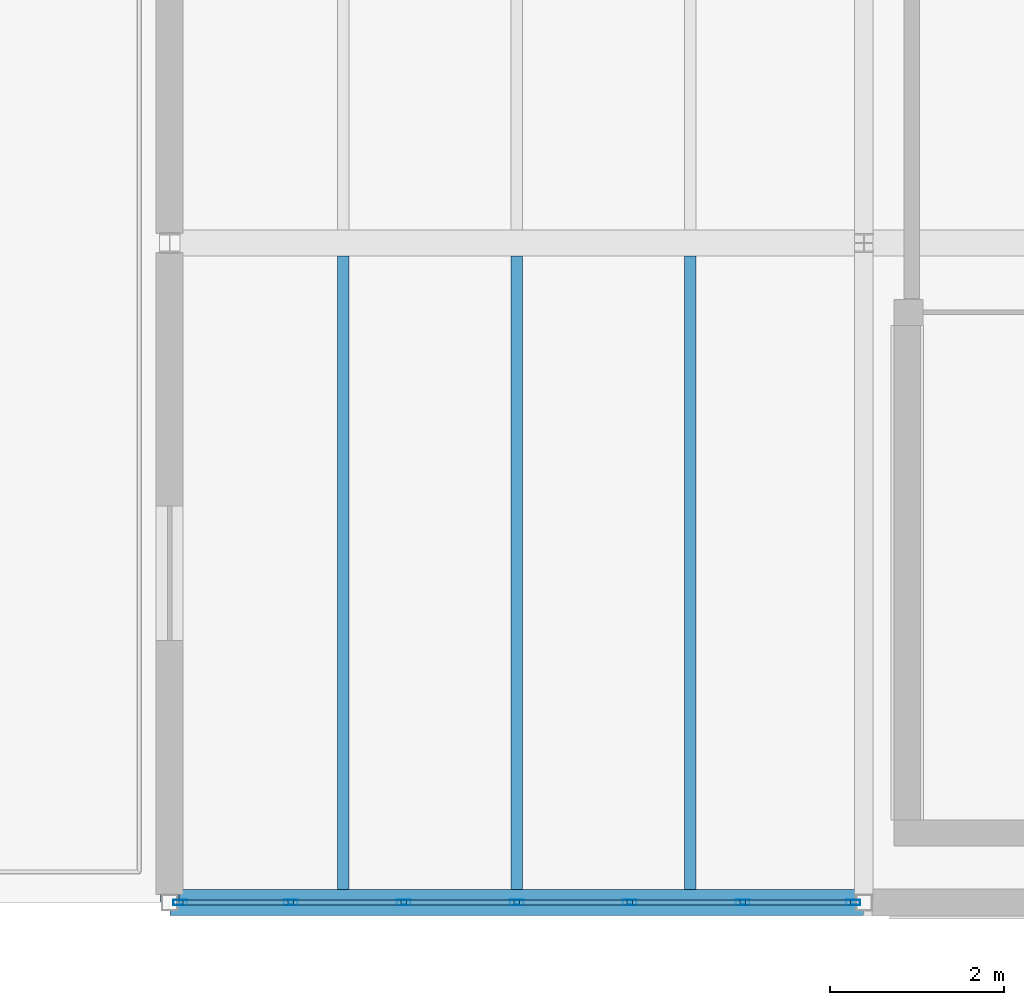
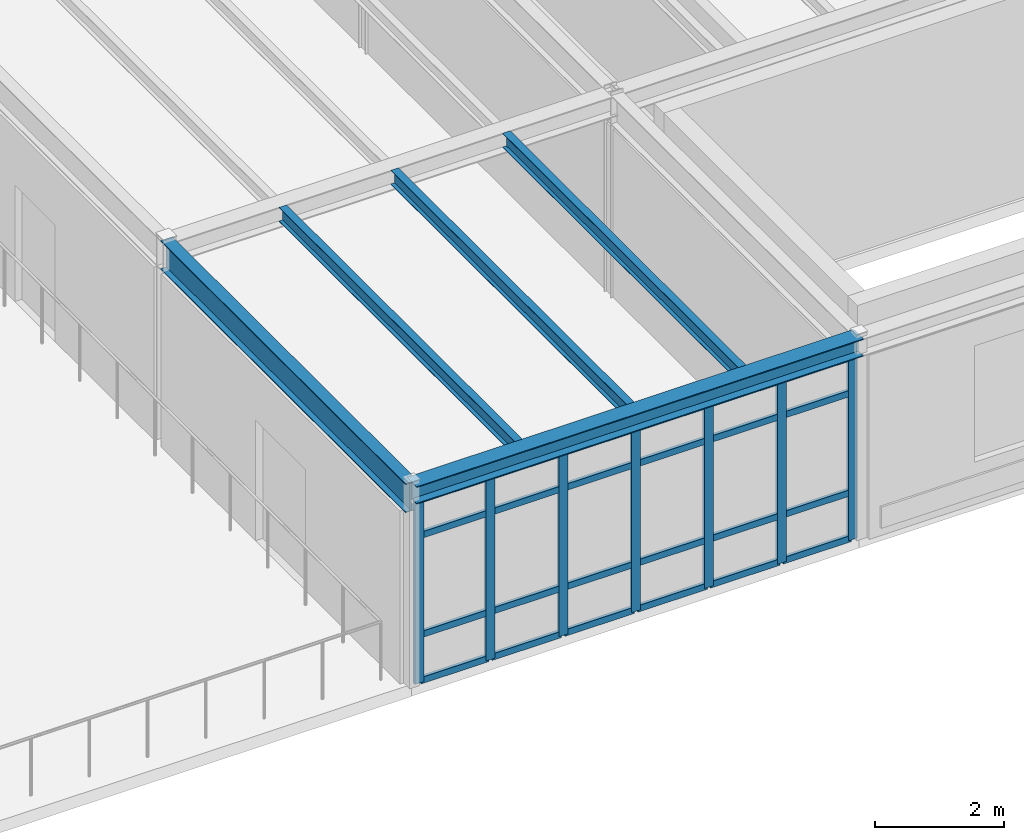
# One storey, part 29 of 65: 31 members, 5 beams, 1 element without a shape of its own.
"""IFC4 building model written with IfcOpenShell, lengths in metres."""

from ifc_helpers import new_model, si_unit, direction, frame, origin, origin_2d, place, context, subcontext, project, spatial, hollow_rectangle, i_section, extrude, material, layer, layer_set, material_profile, profile_set, type_object, element, aggregate, save


model = new_model("IFC4")

# Units and contexts
model_context = context("Model", 3, precision=1e-05, world=origin(), true_north=direction((0.0, 1.0)))
body_context = subcontext(model_context, "Body", "Model", "MODEL_VIEW")
ifc_project = project(units=[si_unit("LENGTHUNIT", "METRE"), si_unit("AREAUNIT", "SQUARE_METRE"), si_unit("VOLUMEUNIT", "CUBIC_METRE"), si_unit("PLANEANGLEUNIT", "RADIAN"), si_unit("MASSUNIT", "GRAM", prefix="KILO")], contexts=[model_context])

# Site, building, storey
site_placement = place(None, origin())
site = spatial("IfcSite", under=ifc_project, at=site_placement, CompositionType="ELEMENT")
building_placement = place(site_placement, origin())
building = spatial("IfcBuilding", under=site, at=building_placement, Name="Montecoro Central Library", CompositionType="ELEMENT")
storey_placement = place(building_placement, frame((0.0, 0.0, 17.340087890625)))
storey = spatial("IfcBuildingStorey", under=building, at=storey_placement, Name="L04", CompositionType="ELEMENT", Elevation=17.340087890625)

# Beams
ifc_material_1 = material(Name="Steel S355J2", Category="steel")
ifc_material_profile_1 = material_profile(ifc_material_1, i_section(OverallWidth=0.2099609375, OverallDepth=0.550048828125, WebThickness=0.010986328125, FlangeThickness=0.01708984375, at=origin_2d()), Name="IPE 550")
ifc_profile_set_1 = profile_set([ifc_material_profile_1], Name="Steel S355J2")
beam_type_1 = type_object("IfcBeamType", Name="BM-G-IPE550", PredefinedType="USERDEFINED", material=ifc_profile_set_1)
beam_1_placement = place(storey_placement, frame((149.0, 5.0048828125, 3.5498046875), z_axis=(0.0, 1.0, 0.0), x_axis=(-1.0, 0.0, 0.0)))
element("IfcBeam", 1, at=beam_1_placement, inside=storey, type_object=beam_type_1, Name="V6-L04-BY-19-AB", ObjectType="GIRDER", PredefinedType="USERDEFINED", context=body_context, shape_type="SweptSolid", body=[
    extrude(i_section(OverallWidth=0.2099609375, OverallDepth=0.550048828125, WebThickness=0.010986328125, FlangeThickness=0.01708984375, at=origin_2d()), origin(), (0.0, 0.0, 1.0), 7.590087890625),
])
ifc_material_2 = material(Name="Steel S355", Category="steel")
ifc_material_profile_2 = material_profile(ifc_material_2, i_section(OverallWidth=0.135009765625, OverallDepth=0.27001953125, WebThickness=0.006591796875, FlangeThickness=0.01025390625, at=origin_2d()), Name="IPE 270")
ifc_profile_set_2 = profile_set([ifc_material_profile_2], Name="Steel S355")
beam_type_2 = type_object("IfcBeamType", Name="BM-J-IPE270", PredefinedType="JOIST", material=ifc_profile_set_2)
for number, where, z_axis, x_axis, name in (
    (2, (151.0, 5.14697265625, 3.68994140625), (0.0, 1.0, 0.0), (-1.0, 0.0, 0.0), "V6-L04-JS-1920-AB-1"),
    (3, (153.0, 5.14697265625, 3.68994140625), (0.0, 1.0, 0.0), (-1.0, 0.0, 0.0), "V6-L04-JS-1920-AB-2"),
    (4, (155.0, 5.14697265625, 3.68994140625), (0.0, 1.0, 0.0), (-1.0, 0.0, 0.0), "V6-L04-JS-1920-AB-3"),
):
    element("IfcBeam", number, at=place(storey_placement, frame(where, z_axis=z_axis, x_axis=x_axis)), inside=storey, type_object=beam_type_2, Name=name, PredefinedType="JOIST", context=body_context, shape_type="SweptSolid", body=[
        extrude(i_section(OverallWidth=0.135009765625, OverallDepth=0.27001953125, WebThickness=0.006591796875, FlangeThickness=0.01025390625, at=origin_2d()), origin(), (0.0, 0.0, 1.0), 7.305908203125),
    ])
ifc_material_profile_3 = material_profile(ifc_material_2, i_section(OverallWidth=0.300048828125, OverallDepth=0.330078125, WebThickness=0.009521484375, FlangeThickness=0.0166015625, at=origin_2d()), Name="HEA 340")
ifc_profile_set_3 = profile_set([ifc_material_profile_3], Name="Steel S355")
beam_type_3 = type_object("IfcBeamType", Name="BM-SP-HEA340", PredefinedType="SPANDREL", material=ifc_profile_set_3)
beam_2_placement = place(storey_placement, frame((149.0048828125, 5.0, 3.659912109375), z_axis=(1.0, 0.0, 0.0), x_axis=(0.0, 1.0, 0.0)))
element("IfcBeam", 5, at=beam_2_placement, inside=storey, type_object=beam_type_3, Name="V6-L04-BX-1920-A", PredefinedType="SPANDREL", context=body_context, shape_type="SweptSolid", body=[
    extrude(i_section(OverallWidth=0.300048828125, OverallDepth=0.330078125, WebThickness=0.009521484375, FlangeThickness=0.0166015625, at=origin_2d()), origin(), (0.0, 0.0, 1.0), 7.990234375),
])

# Curtain wall, members
ifc_material_3 = material(Name="Bronze-anodised aluminium and low-E glazing", Category="aluminium")
ifc_layer = layer(ifc_material_3, 0.159912109375)
ifc_layer_set = layer_set([ifc_layer], Name="Bronze-anodised aluminium and low-E glazing")
curtain_wall_type = type_object("IfcCurtainWallType", Name="CWT-072", PredefinedType="NOTDEFINED", material=ifc_layer_set)
curtain_wall_placement = place(storey_placement, origin())
curtain_wall = element("IfcCurtainWall", 6, at=curtain_wall_placement, inside=storey, type_object=curtain_wall_type, Name="V6-L04-CW-S0", PredefinedType="NOTDEFINED")
ifc_material_4 = material(Name="Bronze-anodised aluminium", Category="aluminium")
ifc_material_profile_4 = material_profile(ifc_material_4, hollow_rectangle(XDim=0.06005859375, YDim=0.159912109375, WallThickness=0.00390625, at=origin_2d()), Name="CWM 160x60x4.0")
ifc_profile_set_4 = profile_set([ifc_material_profile_4], Name="Bronze-anodised aluminium")
member_type_1 = type_object("IfcMemberType", Name="CWM-BRZ-60", PredefinedType="MULLION", material=ifc_profile_set_4)
member_1_placement = place(storey_placement, frame((149.123046875, 5.0, 0.0), z_axis=(0.0, 0.0, 1.0), x_axis=(0.0, 1.0, 0.0)))
member_1 = element("IfcMember", 7, at=member_1_placement, type_object=member_type_1, Name="CW-072 mullion 1", PredefinedType="MULLION", context=body_context, shape_type="SweptSolid", body=[
    extrude(hollow_rectangle(XDim=0.06005859375, YDim=0.159912109375, WallThickness=0.00390625, at=origin_2d()), origin(), (0.0, 0.0, 1.0), 3.47998046875),
])
member_2_placement = place(storey_placement, frame((150.395263671875, 5.0, 0.0), z_axis=(0.0, 0.0, 1.0), x_axis=(0.0, 1.0, 0.0)))
member_2 = element("IfcMember", 8, at=member_2_placement, type_object=member_type_1, Name="CW-072 mullion 2", PredefinedType="MULLION", context=body_context, shape_type="SweptSolid", body=[
    extrude(hollow_rectangle(XDim=0.06005859375, YDim=0.159912109375, WallThickness=0.00390625, at=origin_2d()), origin(), (0.0, 0.0, 1.0), 3.47998046875),
])
member_3_placement = place(storey_placement, frame((151.69775390625, 5.0, 0.0), z_axis=(0.0, 0.0, 1.0), x_axis=(0.0, 1.0, 0.0)))
member_3 = element("IfcMember", 9, at=member_3_placement, type_object=member_type_1, Name="CW-072 mullion 3", PredefinedType="MULLION", context=body_context, shape_type="SweptSolid", body=[
    extrude(hollow_rectangle(XDim=0.06005859375, YDim=0.159912109375, WallThickness=0.00390625, at=origin_2d()), origin(), (0.0, 0.0, 1.0), 3.47998046875),
])
member_4_placement = place(storey_placement, frame((153.0, 5.0, 0.0), z_axis=(0.0, 0.0, 1.0), x_axis=(0.0, 1.0, 0.0)))
member_4 = element("IfcMember", 10, at=member_4_placement, type_object=member_type_1, Name="CW-072 mullion 4", PredefinedType="MULLION", context=body_context, shape_type="SweptSolid", body=[
    extrude(hollow_rectangle(XDim=0.06005859375, YDim=0.159912109375, WallThickness=0.00390625, at=origin_2d()), origin(), (0.0, 0.0, 1.0), 3.47998046875),
])
member_5_placement = place(storey_placement, frame((154.30224609375, 5.0, 0.0), z_axis=(0.0, 0.0, 1.0), x_axis=(0.0, 1.0, 0.0)))
member_5 = element("IfcMember", 11, at=member_5_placement, type_object=member_type_1, Name="CW-072 mullion 5", PredefinedType="MULLION", context=body_context, shape_type="SweptSolid", body=[
    extrude(hollow_rectangle(XDim=0.06005859375, YDim=0.159912109375, WallThickness=0.00390625, at=origin_2d()), origin(), (0.0, 0.0, 1.0), 3.47998046875),
])
member_6_placement = place(storey_placement, frame((155.604736328125, 5.0, 0.0), z_axis=(0.0, 0.0, 1.0), x_axis=(0.0, 1.0, 0.0)))
member_6 = element("IfcMember", 12, at=member_6_placement, type_object=member_type_1, Name="CW-072 mullion 6", PredefinedType="MULLION", context=body_context, shape_type="SweptSolid", body=[
    extrude(hollow_rectangle(XDim=0.06005859375, YDim=0.159912109375, WallThickness=0.00390625, at=origin_2d()), origin(), (0.0, 0.0, 1.0), 3.47998046875),
])
member_7_placement = place(storey_placement, frame((156.876953125, 5.0, 0.0), z_axis=(0.0, 0.0, 1.0), x_axis=(0.0, 1.0, 0.0)))
member_7 = element("IfcMember", 13, at=member_7_placement, type_object=member_type_1, Name="CW-072 mullion 7", PredefinedType="MULLION", context=body_context, shape_type="SweptSolid", body=[
    extrude(hollow_rectangle(XDim=0.06005859375, YDim=0.159912109375, WallThickness=0.00390625, at=origin_2d()), origin(), (0.0, 0.0, 1.0), 3.47998046875),
])
ifc_material_profile_5 = material_profile(ifc_material_4, hollow_rectangle(XDim=0.06005859375, YDim=0.1201171875, WallThickness=0.00390625, at=origin_2d()), Name="CWT 120x60x4.0")
ifc_profile_set_5 = profile_set([ifc_material_profile_5], Name="Bronze-anodised aluminium")
member_type_2 = type_object("IfcMemberType", Name="CWT-BRZ-60", PredefinedType="USERDEFINED", material=ifc_profile_set_5)
member_8_placement = place(storey_placement, frame((149.153076171875, 5.0, 0.030029296875), z_axis=(1.0, 0.0, 0.0), x_axis=(0.0, 1.0, 0.0)))
member_8 = element("IfcMember", 14, at=member_8_placement, type_object=member_type_2, Name="CW-072 transom 1.1", ObjectType="TRANSOM", PredefinedType="USERDEFINED", context=body_context, shape_type="SweptSolid", body=[
    extrude(hollow_rectangle(XDim=0.06005859375, YDim=0.1201171875, WallThickness=0.00390625, at=origin_2d()), origin(), (0.0, 0.0, 1.0), 1.212158203125),
])
member_9_placement = place(storey_placement, frame((149.153076171875, 5.0, 0.89990234375), z_axis=(1.0, 0.0, 0.0), x_axis=(0.0, 1.0, 0.0)))
member_9 = element("IfcMember", 15, at=member_9_placement, type_object=member_type_2, Name="CW-072 transom 1.2", ObjectType="TRANSOM", PredefinedType="USERDEFINED", context=body_context, shape_type="SweptSolid", body=[
    extrude(hollow_rectangle(XDim=0.06005859375, YDim=0.1201171875, WallThickness=0.00390625, at=origin_2d()), origin(), (0.0, 0.0, 1.0), 1.212158203125),
])
member_10_placement = place(storey_placement, frame((149.153076171875, 5.0, 2.780029296875), z_axis=(1.0, 0.0, 0.0), x_axis=(0.0, 1.0, 0.0)))
member_10 = element("IfcMember", 16, at=member_10_placement, type_object=member_type_2, Name="CW-072 transom 1.3", ObjectType="TRANSOM", PredefinedType="USERDEFINED", context=body_context, shape_type="SweptSolid", body=[
    extrude(hollow_rectangle(XDim=0.06005859375, YDim=0.1201171875, WallThickness=0.00390625, at=origin_2d()), origin(), (0.0, 0.0, 1.0), 1.212158203125),
])
member_11_placement = place(storey_placement, frame((149.153076171875, 5.0, 3.449951171875), z_axis=(1.0, 0.0, 0.0), x_axis=(0.0, 1.0, 0.0)))
member_11 = element("IfcMember", 17, at=member_11_placement, type_object=member_type_2, Name="CW-072 transom 1.4", ObjectType="TRANSOM", PredefinedType="USERDEFINED", context=body_context, shape_type="SweptSolid", body=[
    extrude(hollow_rectangle(XDim=0.06005859375, YDim=0.1201171875, WallThickness=0.00390625, at=origin_2d()), origin(), (0.0, 0.0, 1.0), 1.212158203125),
])
member_12_placement = place(storey_placement, frame((150.42529296875, 5.0, 0.030029296875), z_axis=(1.0, 0.0, 0.0), x_axis=(0.0, 1.0, 0.0)))
member_12 = element("IfcMember", 18, at=member_12_placement, type_object=member_type_2, Name="CW-072 transom 2.1", ObjectType="TRANSOM", PredefinedType="USERDEFINED", context=body_context, shape_type="SweptSolid", body=[
    extrude(hollow_rectangle(XDim=0.06005859375, YDim=0.1201171875, WallThickness=0.00390625, at=origin_2d()), origin(), (0.0, 0.0, 1.0), 1.242431640625),
])
member_13_placement = place(storey_placement, frame((150.42529296875, 5.0, 0.89990234375), z_axis=(1.0, 0.0, 0.0), x_axis=(0.0, 1.0, 0.0)))
member_13 = element("IfcMember", 19, at=member_13_placement, type_object=member_type_2, Name="CW-072 transom 2.2", ObjectType="TRANSOM", PredefinedType="USERDEFINED", context=body_context, shape_type="SweptSolid", body=[
    extrude(hollow_rectangle(XDim=0.06005859375, YDim=0.1201171875, WallThickness=0.00390625, at=origin_2d()), origin(), (0.0, 0.0, 1.0), 1.242431640625),
])
member_14_placement = place(storey_placement, frame((150.42529296875, 5.0, 2.780029296875), z_axis=(1.0, 0.0, 0.0), x_axis=(0.0, 1.0, 0.0)))
member_14 = element("IfcMember", 20, at=member_14_placement, type_object=member_type_2, Name="CW-072 transom 2.3", ObjectType="TRANSOM", PredefinedType="USERDEFINED", context=body_context, shape_type="SweptSolid", body=[
    extrude(hollow_rectangle(XDim=0.06005859375, YDim=0.1201171875, WallThickness=0.00390625, at=origin_2d()), origin(), (0.0, 0.0, 1.0), 1.242431640625),
])
member_15_placement = place(storey_placement, frame((150.42529296875, 5.0, 3.449951171875), z_axis=(1.0, 0.0, 0.0), x_axis=(0.0, 1.0, 0.0)))
member_15 = element("IfcMember", 21, at=member_15_placement, type_object=member_type_2, Name="CW-072 transom 2.4", ObjectType="TRANSOM", PredefinedType="USERDEFINED", context=body_context, shape_type="SweptSolid", body=[
    extrude(hollow_rectangle(XDim=0.06005859375, YDim=0.1201171875, WallThickness=0.00390625, at=origin_2d()), origin(), (0.0, 0.0, 1.0), 1.242431640625),
])
member_16_placement = place(storey_placement, frame((151.727783203125, 5.0, 0.030029296875), z_axis=(1.0, 0.0, 0.0), x_axis=(0.0, 1.0, 0.0)))
member_16 = element("IfcMember", 22, at=member_16_placement, type_object=member_type_2, Name="CW-072 transom 3.1", ObjectType="TRANSOM", PredefinedType="USERDEFINED", context=body_context, shape_type="SweptSolid", body=[
    extrude(hollow_rectangle(XDim=0.06005859375, YDim=0.1201171875, WallThickness=0.00390625, at=origin_2d()), origin(), (0.0, 0.0, 1.0), 1.2421875),
])
member_17_placement = place(storey_placement, frame((151.727783203125, 5.0, 0.89990234375), z_axis=(1.0, 0.0, 0.0), x_axis=(0.0, 1.0, 0.0)))
member_17 = element("IfcMember", 23, at=member_17_placement, type_object=member_type_2, Name="CW-072 transom 3.2", ObjectType="TRANSOM", PredefinedType="USERDEFINED", context=body_context, shape_type="SweptSolid", body=[
    extrude(hollow_rectangle(XDim=0.06005859375, YDim=0.1201171875, WallThickness=0.00390625, at=origin_2d()), origin(), (0.0, 0.0, 1.0), 1.2421875),
])
member_18_placement = place(storey_placement, frame((151.727783203125, 5.0, 2.780029296875), z_axis=(1.0, 0.0, 0.0), x_axis=(0.0, 1.0, 0.0)))
member_18 = element("IfcMember", 24, at=member_18_placement, type_object=member_type_2, Name="CW-072 transom 3.3", ObjectType="TRANSOM", PredefinedType="USERDEFINED", context=body_context, shape_type="SweptSolid", body=[
    extrude(hollow_rectangle(XDim=0.06005859375, YDim=0.1201171875, WallThickness=0.00390625, at=origin_2d()), origin(), (0.0, 0.0, 1.0), 1.2421875),
])
member_19_placement = place(storey_placement, frame((151.727783203125, 5.0, 3.449951171875), z_axis=(1.0, 0.0, 0.0), x_axis=(0.0, 1.0, 0.0)))
member_19 = element("IfcMember", 25, at=member_19_placement, type_object=member_type_2, Name="CW-072 transom 3.4", ObjectType="TRANSOM", PredefinedType="USERDEFINED", context=body_context, shape_type="SweptSolid", body=[
    extrude(hollow_rectangle(XDim=0.06005859375, YDim=0.1201171875, WallThickness=0.00390625, at=origin_2d()), origin(), (0.0, 0.0, 1.0), 1.2421875),
])
member_20_placement = place(storey_placement, frame((153.030029296875, 5.0, 0.030029296875), z_axis=(1.0, 0.0, 0.0), x_axis=(0.0, 1.0, 0.0)))
member_20 = element("IfcMember", 26, at=member_20_placement, type_object=member_type_2, Name="CW-072 transom 4.1", ObjectType="TRANSOM", PredefinedType="USERDEFINED", context=body_context, shape_type="SweptSolid", body=[
    extrude(hollow_rectangle(XDim=0.06005859375, YDim=0.1201171875, WallThickness=0.00390625, at=origin_2d()), origin(), (0.0, 0.0, 1.0), 1.2421875),
])
member_21_placement = place(storey_placement, frame((153.030029296875, 5.0, 0.89990234375), z_axis=(1.0, 0.0, 0.0), x_axis=(0.0, 1.0, 0.0)))
member_21 = element("IfcMember", 27, at=member_21_placement, type_object=member_type_2, Name="CW-072 transom 4.2", ObjectType="TRANSOM", PredefinedType="USERDEFINED", context=body_context, shape_type="SweptSolid", body=[
    extrude(hollow_rectangle(XDim=0.06005859375, YDim=0.1201171875, WallThickness=0.00390625, at=origin_2d()), origin(), (0.0, 0.0, 1.0), 1.2421875),
])
member_22_placement = place(storey_placement, frame((153.030029296875, 5.0, 2.780029296875), z_axis=(1.0, 0.0, 0.0), x_axis=(0.0, 1.0, 0.0)))
member_22 = element("IfcMember", 28, at=member_22_placement, type_object=member_type_2, Name="CW-072 transom 4.3", ObjectType="TRANSOM", PredefinedType="USERDEFINED", context=body_context, shape_type="SweptSolid", body=[
    extrude(hollow_rectangle(XDim=0.06005859375, YDim=0.1201171875, WallThickness=0.00390625, at=origin_2d()), origin(), (0.0, 0.0, 1.0), 1.2421875),
])
member_23_placement = place(storey_placement, frame((153.030029296875, 5.0, 3.449951171875), z_axis=(1.0, 0.0, 0.0), x_axis=(0.0, 1.0, 0.0)))
member_23 = element("IfcMember", 29, at=member_23_placement, type_object=member_type_2, Name="CW-072 transom 4.4", ObjectType="TRANSOM", PredefinedType="USERDEFINED", context=body_context, shape_type="SweptSolid", body=[
    extrude(hollow_rectangle(XDim=0.06005859375, YDim=0.1201171875, WallThickness=0.00390625, at=origin_2d()), origin(), (0.0, 0.0, 1.0), 1.2421875),
])
member_24_placement = place(storey_placement, frame((154.332275390625, 5.0, 0.030029296875), z_axis=(1.0, 0.0, 0.0), x_axis=(0.0, 1.0, 0.0)))
member_24 = element("IfcMember", 30, at=member_24_placement, type_object=member_type_2, Name="CW-072 transom 5.1", ObjectType="TRANSOM", PredefinedType="USERDEFINED", context=body_context, shape_type="SweptSolid", body=[
    extrude(hollow_rectangle(XDim=0.06005859375, YDim=0.1201171875, WallThickness=0.00390625, at=origin_2d()), origin(), (0.0, 0.0, 1.0), 1.242431640625),
])
member_25_placement = place(storey_placement, frame((154.332275390625, 5.0, 0.89990234375), z_axis=(1.0, 0.0, 0.0), x_axis=(0.0, 1.0, 0.0)))
member_25 = element("IfcMember", 31, at=member_25_placement, type_object=member_type_2, Name="CW-072 transom 5.2", ObjectType="TRANSOM", PredefinedType="USERDEFINED", context=body_context, shape_type="SweptSolid", body=[
    extrude(hollow_rectangle(XDim=0.06005859375, YDim=0.1201171875, WallThickness=0.00390625, at=origin_2d()), origin(), (0.0, 0.0, 1.0), 1.242431640625),
])
member_26_placement = place(storey_placement, frame((154.332275390625, 5.0, 2.780029296875), z_axis=(1.0, 0.0, 0.0), x_axis=(0.0, 1.0, 0.0)))
member_26 = element("IfcMember", 32, at=member_26_placement, type_object=member_type_2, Name="CW-072 transom 5.3", ObjectType="TRANSOM", PredefinedType="USERDEFINED", context=body_context, shape_type="SweptSolid", body=[
    extrude(hollow_rectangle(XDim=0.06005859375, YDim=0.1201171875, WallThickness=0.00390625, at=origin_2d()), origin(), (0.0, 0.0, 1.0), 1.242431640625),
])
member_27_placement = place(storey_placement, frame((154.332275390625, 5.0, 3.449951171875), z_axis=(1.0, 0.0, 0.0), x_axis=(0.0, 1.0, 0.0)))
member_27 = element("IfcMember", 33, at=member_27_placement, type_object=member_type_2, Name="CW-072 transom 5.4", ObjectType="TRANSOM", PredefinedType="USERDEFINED", context=body_context, shape_type="SweptSolid", body=[
    extrude(hollow_rectangle(XDim=0.06005859375, YDim=0.1201171875, WallThickness=0.00390625, at=origin_2d()), origin(), (0.0, 0.0, 1.0), 1.242431640625),
])
member_28_placement = place(storey_placement, frame((155.634765625, 5.0, 0.030029296875), z_axis=(1.0, 0.0, 0.0), x_axis=(0.0, 1.0, 0.0)))
member_28 = element("IfcMember", 34, at=member_28_placement, type_object=member_type_2, Name="CW-072 transom 6.1", ObjectType="TRANSOM", PredefinedType="USERDEFINED", context=body_context, shape_type="SweptSolid", body=[
    extrude(hollow_rectangle(XDim=0.06005859375, YDim=0.1201171875, WallThickness=0.00390625, at=origin_2d()), origin(), (0.0, 0.0, 1.0), 1.212158203125),
])
member_29_placement = place(storey_placement, frame((155.634765625, 5.0, 0.89990234375), z_axis=(1.0, 0.0, 0.0), x_axis=(0.0, 1.0, 0.0)))
member_29 = element("IfcMember", 35, at=member_29_placement, type_object=member_type_2, Name="CW-072 transom 6.2", ObjectType="TRANSOM", PredefinedType="USERDEFINED", context=body_context, shape_type="SweptSolid", body=[
    extrude(hollow_rectangle(XDim=0.06005859375, YDim=0.1201171875, WallThickness=0.00390625, at=origin_2d()), origin(), (0.0, 0.0, 1.0), 1.212158203125),
])
member_30_placement = place(storey_placement, frame((155.634765625, 5.0, 2.780029296875), z_axis=(1.0, 0.0, 0.0), x_axis=(0.0, 1.0, 0.0)))
member_30 = element("IfcMember", 36, at=member_30_placement, type_object=member_type_2, Name="CW-072 transom 6.3", ObjectType="TRANSOM", PredefinedType="USERDEFINED", context=body_context, shape_type="SweptSolid", body=[
    extrude(hollow_rectangle(XDim=0.06005859375, YDim=0.1201171875, WallThickness=0.00390625, at=origin_2d()), origin(), (0.0, 0.0, 1.0), 1.212158203125),
])
member_31_placement = place(storey_placement, frame((155.634765625, 5.0, 3.449951171875), z_axis=(1.0, 0.0, 0.0), x_axis=(0.0, 1.0, 0.0)))
member_31 = element("IfcMember", 37, at=member_31_placement, type_object=member_type_2, Name="CW-072 transom 6.4", ObjectType="TRANSOM", PredefinedType="USERDEFINED", context=body_context, shape_type="SweptSolid", body=[
    extrude(hollow_rectangle(XDim=0.06005859375, YDim=0.1201171875, WallThickness=0.00390625, at=origin_2d()), origin(), (0.0, 0.0, 1.0), 1.212158203125),
])
aggregate(curtain_wall, [member_1, member_2, member_3, member_4, member_5, member_6, member_7, member_8, member_9, member_10, member_11, member_12, member_13, member_14, member_15, member_16, member_17, member_18, member_19, member_20, member_21, member_22, member_23, member_24, member_25, member_26, member_27, member_28, member_29, member_30, member_31])

save(model, "model.ifc")
